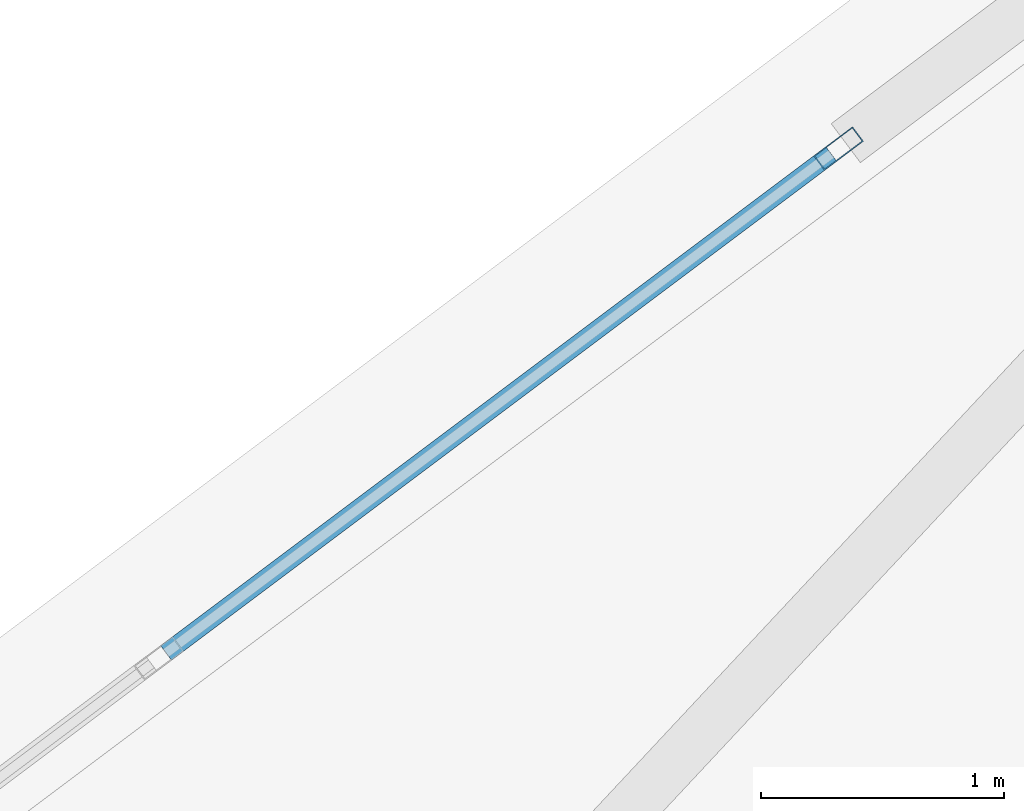
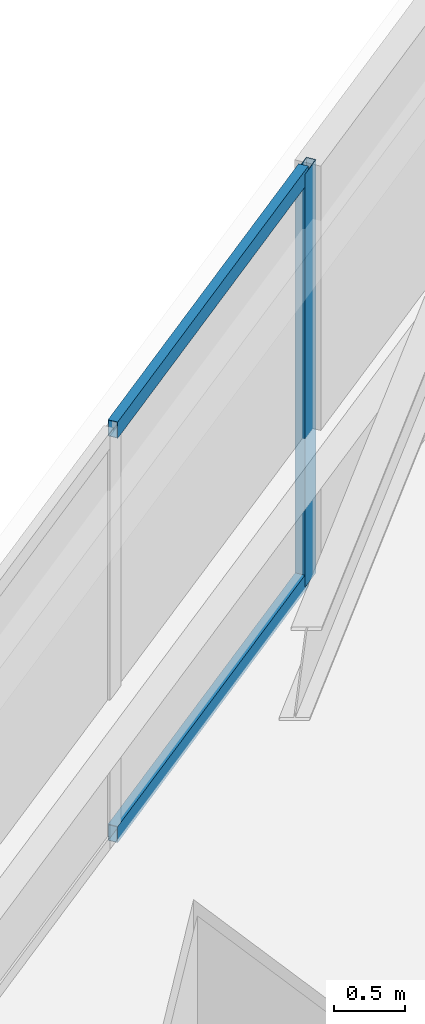
# One storey, part 27 of 44: 3 members, 1 element without a shape of its own.
"""IFC4 building model written with IfcOpenShell, lengths in metres."""

from ifc_helpers import new_model, si_unit, direction, frame, origin, origin_2d, place, context, subcontext, project, spatial, hollow_rectangle, extrude, material, material_profile, profile_set, type_object, element, aggregate, save


model = new_model("IFC4")

# Units and contexts
model_context = context("Model", 3, precision=1e-05, world=origin(), true_north=direction((0.0, 1.0)))
body_context = subcontext(model_context, "Body", "Model", "MODEL_VIEW")
ifc_project = project(units=[si_unit("LENGTHUNIT", "METRE"), si_unit("AREAUNIT", "SQUARE_METRE"), si_unit("VOLUMEUNIT", "CUBIC_METRE"), si_unit("PLANEANGLEUNIT", "RADIAN"), si_unit("MASSUNIT", "GRAM", prefix="KILO")], contexts=[model_context])

# Site, building, storey
site_placement = place(None, origin())
site = spatial("IfcSite", under=ifc_project, at=site_placement, CompositionType="ELEMENT")
building_placement = place(site_placement, origin())
building = spatial("IfcBuilding", under=site, at=building_placement, Name="Tashvorn Skyway Center", CompositionType="ELEMENT")
storey_placement = place(building_placement, frame((0.0, 0.0, 128.60009765625)))
storey = spatial("IfcBuildingStorey", under=building, at=storey_placement, Name="L34", CompositionType="ELEMENT", Elevation=128.60009765625)

# Curtain wall, members
ifc_material = material(Name="Thermally broken bronze-anodized aluminium 6063-T6", Category="aluminium")
curtain_wall_type = type_object("IfcCurtainWallType", Name="CW-CW-Z3", PredefinedType="NOTDEFINED", material=ifc_material)
curtain_wall_placement = place(storey_placement, origin())
curtain_wall = element("IfcCurtainWall", 1, at=curtain_wall_placement, inside=storey, type_object=curtain_wall_type, Name="Tower 2 L34 North Unitised Curtain Wall Glazing Group 1", PredefinedType="NOTDEFINED")
ifc_material_profile_1 = material_profile(ifc_material, hollow_rectangle(XDim=0.074951171875, YDim=0.199951171875, WallThickness=0.00439453125, at=origin_2d()), Name="ALU-MULL-75x200")
ifc_profile_set_1 = profile_set([ifc_material_profile_1], Name="Thermally broken bronze-anodized aluminium 6063-T6")
member_type_1 = type_object("IfcMemberType", Name="CWM-CW-Z3", PredefinedType="MULLION", material=ifc_profile_set_1)
member_1_placement = place(storey_placement, frame((95.944091796875, 41.30810546875, 0.0), z_axis=(0.0, 0.0, 1.0), x_axis=(-0.600004533995, 0.799996599484, 0.0)))
member_1 = element("IfcMember", 2, at=member_1_placement, type_object=member_type_1, Name="CW-Z3 mullion 3", PredefinedType="MULLION", context=body_context, shape_type="SweptSolid", body=[
    extrude(hollow_rectangle(XDim=0.074951171875, YDim=0.199951171875, WallThickness=0.00439453125, at=origin_2d()), origin(), (0.0, 0.0, 1.0), 3.5498046875),
])
ifc_material_profile_2 = material_profile(ifc_material, hollow_rectangle(XDim=0.074951171875, YDim=0.139892578125, WallThickness=0.004150390625, at=origin_2d()), Name="ALU-TRAN-75x140")
ifc_profile_set_2 = profile_set([ifc_material_profile_2], Name="Thermally broken bronze-anodized aluminium 6063-T6")
member_type_2 = type_object("IfcMemberType", Name="CWT-CW-Z3", PredefinedType="USERDEFINED", material=ifc_profile_set_2)
member_2_placement = place(storey_placement, frame((93.18115234375, 39.23583984375, 0.037353515625), z_axis=(0.800008575267, 0.59998856614, 0.0), x_axis=(-0.59998856614, 0.800008575267, 0.0)))
member_2 = element("IfcMember", 3, at=member_2_placement, type_object=member_type_2, Name="CW-Z3 transom 2.1", ObjectType="TRANSOM", PredefinedType="USERDEFINED", context=body_context, shape_type="SweptSolid", body=[
    extrude(hollow_rectangle(XDim=0.074951171875, YDim=0.139892578125, WallThickness=0.004150390625, at=origin_2d()), origin(), (0.0, 0.0, 1.0), 3.41650390625),
])
member_3_placement = place(storey_placement, frame((93.18115234375, 39.23583984375, 3.512451171875), z_axis=(0.800008575267, 0.59998856614, 0.0), x_axis=(-0.59998856614, 0.800008575267, 0.0)))
member_3 = element("IfcMember", 4, at=member_3_placement, type_object=member_type_2, Name="CW-Z3 transom 2.2", ObjectType="TRANSOM", PredefinedType="USERDEFINED", context=body_context, shape_type="SweptSolid", body=[
    extrude(hollow_rectangle(XDim=0.074951171875, YDim=0.139892578125, WallThickness=0.004150390625, at=origin_2d()), origin(), (0.0, 0.0, 1.0), 3.41650390625),
])
aggregate(curtain_wall, [member_1, member_2, member_3])

save(model, "model.ifc")
